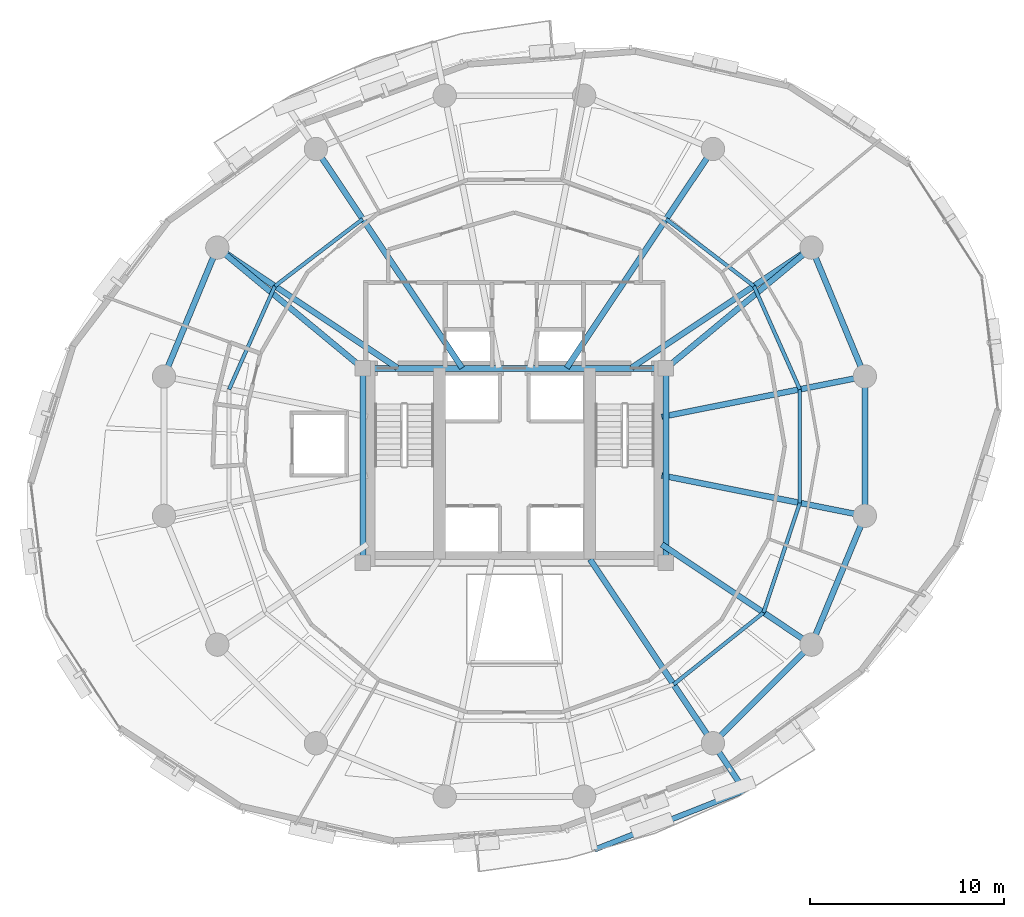
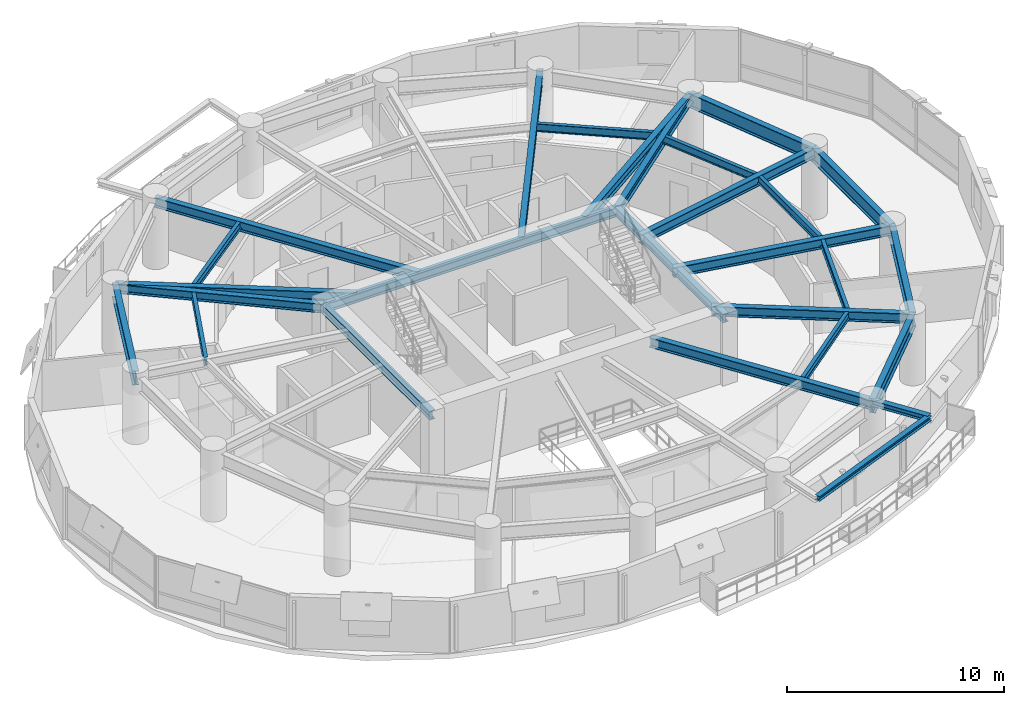
# One storey, part 5 of 15: 27 beams.
"""IFC4 building model written with IfcOpenShell, lengths in metres."""

from ifc_helpers import new_model, si_unit, direction, frame, origin, origin_2d, place, context, subcontext, project, spatial, i_section, extrude, material, material_profile, profile_set, type_object, element, save


model = new_model("IFC4")

# Units and contexts
model_context = context("Model", 3, precision=1e-05, world=origin(), true_north=direction((0.0, 1.0)))
body_context = subcontext(model_context, "Body", "Model", "MODEL_VIEW")
ifc_project = project(units=[si_unit("LENGTHUNIT", "METRE"), si_unit("AREAUNIT", "SQUARE_METRE"), si_unit("VOLUMEUNIT", "CUBIC_METRE"), si_unit("PLANEANGLEUNIT", "RADIAN"), si_unit("MASSUNIT", "GRAM", prefix="KILO"), si_unit("THERMODYNAMICTEMPERATUREUNIT", "KELVIN"), si_unit("POWERUNIT", "WATT")], contexts=[model_context])

# Site, building, storey
site_placement = place(None, origin())
site = spatial("IfcSite", under=ifc_project, at=site_placement, CompositionType="ELEMENT")
building_placement = place(site_placement, origin())
building = spatial("IfcBuilding", under=site, at=building_placement, Name="Ocrelia Relay Tower", CompositionType="ELEMENT")
storey_placement = place(building_placement, frame((0.0, 0.0, 117.800048828125)))
storey = spatial("IfcBuildingStorey", under=building, at=storey_placement, Name="L27", CompositionType="ELEMENT", Elevation=117.800048828125)

# Beams
ifc_material = material(Name="Steel S355", Category="steel")
ifc_material_profile_1 = material_profile(ifc_material, i_section(OverallWidth=0.280029296875, OverallDepth=0.27001953125, WebThickness=0.008056640625, FlangeThickness=0.012939453125, FilletRadius=0.02392578125, at=origin_2d()), Name="HEA 280")
ifc_profile_set_1 = profile_set([ifc_material_profile_1], Name="Steel S355")
beam_type_1 = type_object("IfcBeamType", Name="BM-HEA280", PredefinedType="BEAM", material=ifc_profile_set_1)
beam_1_placement = place(storey_placement, frame((38.133056640625, 5.222412109375, 3.5849609375), z_axis=(0.930184052271, 0.367093487958, 0.0), x_axis=(-0.367093487958, 0.930184052271, 0.0)))
element("IfcBeam", 1, at=beam_1_placement, inside=storey, type_object=beam_type_1, Name="L28 Balcony Edge Trimmer Beam B2", PredefinedType="BEAM", context=body_context, shape_type="SweptSolid", body=[
    extrude(i_section(OverallWidth=0.280029296875, OverallDepth=0.27001953125, WebThickness=0.008056640625, FlangeThickness=0.012939453125, FilletRadius=0.02392578125, at=origin_2d()), origin(), (0.0, 0.0, 1.0), 8.294677734375),
])
ifc_material_profile_2 = material_profile(ifc_material, i_section(OverallWidth=0.300048828125, OverallDepth=0.330078125, WebThickness=0.009521484375, FlangeThickness=0.0166015625, FilletRadius=0.027099609375, at=origin_2d()), Name="HEA 340")
ifc_profile_set_2 = profile_set([ifc_material_profile_2], Name="Steel S355")
beam_type_2 = type_object("IfcBeamType", Name="BM-HEA340", PredefinedType="BEAM", material=ifc_profile_set_2)
beam_2_placement = place(storey_placement, frame((44.222412109375, 10.700927734375, 3.554931640625), z_axis=(0.555604563207, -0.831446672579, 0.0), x_axis=(0.831446672579, 0.555604563207, 0.0)))
element("IfcBeam", 2, at=beam_2_placement, inside=storey, type_object=beam_type_2, Name="L28 Balcony Cantilever Beam B2-2", PredefinedType="BEAM", context=body_context, shape_type="SweptSolid", body=[
    extrude(i_section(OverallWidth=0.300048828125, OverallDepth=0.330078125, WebThickness=0.009521484375, FlangeThickness=0.0166015625, FilletRadius=0.027099609375, at=origin_2d()), origin(), (0.0, 0.0, 1.0), 2.927001953125),
])
ifc_material_profile_3 = material_profile(ifc_material, i_section(OverallWidth=0.300048828125, OverallDepth=0.5, WebThickness=0.014404296875, FlangeThickness=0.028076171875, FilletRadius=0.027099609375, at=origin_2d()), Name="HEB 500")
ifc_profile_set_3 = profile_set([ifc_material_profile_3], Name="Steel S355")
beam_type_3 = type_object("IfcBeamType", Name="BM-HEB500", PredefinedType="BEAM", material=ifc_profile_set_3)
beam_3_placement = place(storey_placement, frame((26.199951171875, 30.0, 3.469970703125), z_axis=(1.0, 0.0, 0.0), x_axis=(0.0, 1.0, 0.0)))
element("IfcBeam", 3, at=beam_3_placement, inside=storey, type_object=beam_type_3, Name="L27 Core Pilaster Tie Beam N", PredefinedType="BEAM", context=body_context, shape_type="SweptSolid", body=[
    extrude(i_section(OverallWidth=0.300048828125, OverallDepth=0.5, WebThickness=0.014404296875, FlangeThickness=0.028076171875, FilletRadius=0.027099609375, at=origin_2d()), origin(), (0.0, 0.0, 1.0), 15.60009765625),
])
for number, where, z_axis, x_axis, name in (
    (4, (26.199951171875, 20.0, 3.469970703125), (0.0, 1.0, 0.0), (-1.0, 0.0, 0.0), "L27 Core Pilaster Tie Beam W"),
    (5, (41.800048828125, 20.0, 3.469970703125), (0.0, 1.0, 0.0), (-1.0, 0.0, 0.0), "L27 Core Pilaster Tie Beam E"),
):
    element("IfcBeam", number, at=place(storey_placement, frame(where, z_axis=z_axis, x_axis=x_axis)), inside=storey, type_object=beam_type_3, Name=name, PredefinedType="BEAM", context=body_context, shape_type="SweptSolid", body=[
        extrude(i_section(OverallWidth=0.300048828125, OverallDepth=0.5, WebThickness=0.014404296875, FlangeThickness=0.028076171875, FilletRadius=0.027099609375, at=origin_2d()), origin(), (0.0, 0.0, 1.0), 10.0),
    ])
for number, where, z_axis, x_axis, name in (
    (6, (49.299072265625, 36.222412109375, 3.469970703125), (-0.769570862751, -0.638561420072, 0.0), (0.638561420072, -0.769570862751, 0.0), "L27 Core Pilaster Frame Tie Beam PT02"),
    (7, (18.700927734375, 36.222412109375, 3.469970703125), (0.769570862751, -0.638561420072, 0.0), (0.638561420072, 0.769570862751, 0.0), "L27 Core Pilaster Frame Tie Beam PT07"),
):
    element("IfcBeam", number, at=place(storey_placement, frame(where, z_axis=z_axis, x_axis=x_axis)), inside=storey, type_object=beam_type_3, Name=name, PredefinedType="BEAM", context=body_context, shape_type="SweptSolid", body=[
        extrude(i_section(OverallWidth=0.300048828125, OverallDepth=0.5, WebThickness=0.014404296875, FlangeThickness=0.028076171875, FilletRadius=0.027099609375, at=origin_2d()), origin(), (0.0, 0.0, 1.0), 9.744384765625),
    ])
ifc_material_profile_4 = material_profile(ifc_material, i_section(OverallWidth=0.300048828125, OverallDepth=0.550048828125, WebThickness=0.014892578125, FlangeThickness=0.029052734375, FilletRadius=0.027099609375, at=origin_2d()), Name="HEB 550")
ifc_profile_set_4 = profile_set([ifc_material_profile_4], Name="Steel S355")
beam_type_4 = type_object("IfcBeamType", Name="BM-HEB550", PredefinedType="BEAM", material=ifc_profile_set_4)
beam_4_placement = place(storey_placement, frame((52.04638671875, 29.589599609375, 3.445068359375), z_axis=(-0.980786914024, -0.195082109071, 0.0), x_axis=(0.195082109071, -0.980786914024, 0.0)))
element("IfcBeam", 8, at=beam_4_placement, inside=storey, type_object=beam_type_4, Name="L27 Radial Floor Girder R01", PredefinedType="BEAM", context=body_context, shape_type="SweptSolid", body=[
    extrude(i_section(OverallWidth=0.300048828125, OverallDepth=0.550048828125, WebThickness=0.014892578125, FlangeThickness=0.029052734375, FilletRadius=0.027099609375, at=origin_2d()), origin(), (0.0, 0.0, 1.0), 10.67138671875),
])
beam_5_placement = place(storey_placement, frame((49.299072265625, 36.222412109375, 3.445068359375), z_axis=(-0.83147699108, -0.555559189741, 0.0), x_axis=(0.555559189741, -0.83147699108, 0.0)))
element("IfcBeam", 9, at=beam_5_placement, inside=storey, type_object=beam_type_4, Name="L27 Radial Floor Girder R02", PredefinedType="BEAM", context=body_context, shape_type="SweptSolid", body=[
    extrude(i_section(OverallWidth=0.300048828125, OverallDepth=0.550048828125, WebThickness=0.014892578125, FlangeThickness=0.029052734375, FilletRadius=0.027099609375, at=origin_2d()), origin(), (0.0, 0.0, 1.0), 11.146240234375),
])
for number, where, z_axis, x_axis, name in (
    (10, (44.222412109375, 41.299072265625, 3.445068359375), (-0.555560399988, -0.83147618244, 0.0), (0.83147618244, -0.555560399988, 0.0), "L27 Radial Floor Girder R03"),
    (11, (23.777587890625, 41.299072265625, 3.445068359375), (0.555560399988, -0.83147618244, 0.0), (0.83147618244, 0.555560399988, 0.0), "L27 Radial Floor Girder R06"),
):
    element("IfcBeam", number, at=place(storey_placement, frame(where, z_axis=z_axis, x_axis=x_axis)), inside=storey, type_object=beam_type_4, Name=name, PredefinedType="BEAM", context=body_context, shape_type="SweptSolid", body=[
        extrude(i_section(OverallWidth=0.300048828125, OverallDepth=0.550048828125, WebThickness=0.014892578125, FlangeThickness=0.029052734375, FilletRadius=0.027099609375, at=origin_2d()), origin(), (0.0, 0.0, 1.0), 13.552978515625),
    ])
beam_6_placement = place(storey_placement, frame((18.700927734375, 36.222412109375, 3.445068359375), z_axis=(0.83147699108, -0.555559189741, 0.0), x_axis=(0.555559189741, 0.83147699108, 0.0)))
element("IfcBeam", 12, at=beam_6_placement, inside=storey, type_object=beam_type_4, Name="L27 Radial Floor Girder R07", PredefinedType="BEAM", context=body_context, shape_type="SweptSolid", body=[
    extrude(i_section(OverallWidth=0.300048828125, OverallDepth=0.550048828125, WebThickness=0.014892578125, FlangeThickness=0.029052734375, FilletRadius=0.027099609375, at=origin_2d()), origin(), (0.0, 0.0, 1.0), 11.146240234375),
])
beam_7_placement = place(storey_placement, frame((44.222412109375, 10.700927734375, 3.445068359375), z_axis=(-0.555565661158, 0.831472667105, 0.0), x_axis=(-0.831472667105, -0.555565661158, 0.0)))
element("IfcBeam", 13, at=beam_7_placement, inside=storey, type_object=beam_type_4, Name="L27 Radial Floor Girder R14", PredefinedType="BEAM", context=body_context, shape_type="SweptSolid", body=[
    extrude(i_section(OverallWidth=0.300048828125, OverallDepth=0.550048828125, WebThickness=0.014892578125, FlangeThickness=0.029052734375, FilletRadius=0.027099609375, at=origin_2d()), origin(), (0.0, 0.0, 1.0), 11.38818359375),
])
beam_8_placement = place(storey_placement, frame((49.299072265625, 15.777587890625, 3.445068359375), z_axis=(-0.8314672312, 0.555573796575, 0.0), x_axis=(-0.555573796575, -0.8314672312, 0.0)))
element("IfcBeam", 14, at=beam_8_placement, inside=storey, type_object=beam_type_4, Name="L27 Radial Floor Girder R15", PredefinedType="BEAM", context=body_context, shape_type="SweptSolid", body=[
    extrude(i_section(OverallWidth=0.300048828125, OverallDepth=0.550048828125, WebThickness=0.014892578125, FlangeThickness=0.029052734375, FilletRadius=0.027099609375, at=origin_2d()), origin(), (0.0, 0.0, 1.0), 9.28369140625),
])
beam_9_placement = place(storey_placement, frame((52.04638671875, 22.410400390625, 3.445068359375), z_axis=(-0.980786914024, 0.195082109071, 0.0), x_axis=(-0.195082109071, -0.980786914024, 0.0)))
element("IfcBeam", 15, at=beam_9_placement, inside=storey, type_object=beam_type_4, Name="L27 Radial Floor Girder R16", PredefinedType="BEAM", context=body_context, shape_type="SweptSolid", body=[
    extrude(i_section(OverallWidth=0.300048828125, OverallDepth=0.550048828125, WebThickness=0.014892578125, FlangeThickness=0.029052734375, FilletRadius=0.027099609375, at=origin_2d()), origin(), (0.0, 0.0, 1.0), 10.67138671875),
])
ifc_material_profile_5 = material_profile(ifc_material, i_section(OverallWidth=0.300048828125, OverallDepth=0.800048828125, WebThickness=0.017578125, FlangeThickness=0.032958984375, FilletRadius=0.030029296875, at=origin_2d()), Name="HEB 800")
ifc_profile_set_5 = profile_set([ifc_material_profile_5], Name="Steel S355")
beam_type_5 = type_object("IfcBeamType", Name="BM-HEB800", PredefinedType="BEAM", material=ifc_profile_set_5)
for number, where, z_axis, x_axis, name in (
    (16, (52.04638671875, 29.589599609375, 3.320068359375), (-0.382673155247, 0.923883789366, 0.0), (-0.923883789366, -0.382673155247, 0.0), "L27 Perimeter Spandrel Beam S01"),
    (17, (18.700927734375, 36.222412109375, 3.320068359375), (-0.382673155247, -0.923883789366, 0.0), (0.923883789366, -0.382673155247, 0.0), "L27 Perimeter Spandrel Beam S07"),
):
    element("IfcBeam", number, at=place(storey_placement, frame(where, z_axis=z_axis, x_axis=x_axis)), inside=storey, type_object=beam_type_5, Name=name, PredefinedType="BEAM", context=body_context, shape_type="SweptSolid", body=[
        extrude(i_section(OverallWidth=0.300048828125, OverallDepth=0.800048828125, WebThickness=0.017578125, FlangeThickness=0.032958984375, FilletRadius=0.030029296875, at=origin_2d()), origin(), (0.0, 0.0, 1.0), 7.17919921875),
    ])
beam_10_placement = place(storey_placement, frame((44.222412109375, 10.700927734375, 3.320068359375), z_axis=(0.707106781187, 0.707106781187, 0.0), x_axis=(-0.707106781187, 0.707106781187, 0.0)))
element("IfcBeam", 18, at=beam_10_placement, inside=storey, type_object=beam_type_5, Name="L27 Perimeter Spandrel Beam S14", PredefinedType="BEAM", context=body_context, shape_type="SweptSolid", body=[
    extrude(i_section(OverallWidth=0.300048828125, OverallDepth=0.800048828125, WebThickness=0.017578125, FlangeThickness=0.032958984375, FilletRadius=0.030029296875, at=origin_2d()), origin(), (0.0, 0.0, 1.0), 7.179443359375),
])
for number, where, z_axis, x_axis, name in (
    (19, (49.299072265625, 15.777587890625, 3.320068359375), (0.382673155247, 0.923883789366, 0.0), (-0.923883789366, 0.382673155247, 0.0), "L27 Perimeter Spandrel Beam S15"),
    (20, (52.04638671875, 22.410400390625, 3.320068359375), (0.0, 1.0, 0.0), (-1.0, 0.0, 0.0), "L27 Perimeter Spandrel Beam S16"),
):
    element("IfcBeam", number, at=place(storey_placement, frame(where, z_axis=z_axis, x_axis=x_axis)), inside=storey, type_object=beam_type_5, Name=name, PredefinedType="BEAM", context=body_context, shape_type="SweptSolid", body=[
        extrude(i_section(OverallWidth=0.300048828125, OverallDepth=0.800048828125, WebThickness=0.017578125, FlangeThickness=0.032958984375, FilletRadius=0.030029296875, at=origin_2d()), origin(), (0.0, 0.0, 1.0), 7.17919921875),
    ])
ifc_material_profile_6 = material_profile(ifc_material, i_section(OverallWidth=0.18994140625, OverallDepth=0.449951171875, WebThickness=0.009521484375, FlangeThickness=0.0146484375, FilletRadius=0.02099609375, at=origin_2d()), Name="IPE 450")
ifc_profile_set_6 = profile_set([ifc_material_profile_6], Name="Steel S355")
beam_type_6 = type_object("IfcBeamType", Name="BM-IPE450", PredefinedType="JOIST", material=ifc_profile_set_6)
beam_11_placement = place(storey_placement, frame((48.697265625, 28.923583984375, 3.494873046875), z_axis=(-0.406243565397, 0.913764830563, 0.0), x_axis=(-0.913764830563, -0.406243565397, 0.0)))
element("IfcBeam", 21, at=beam_11_placement, inside=storey, type_object=beam_type_6, Name="L27 Secondary Floor Joist J01", PredefinedType="JOIST", context=body_context, shape_type="SweptSolid", body=[
    extrude(i_section(OverallWidth=0.18994140625, OverallDepth=0.449951171875, WebThickness=0.009521484375, FlangeThickness=0.0146484375, FilletRadius=0.02099609375, at=origin_2d()), origin(), (0.0, 0.0, 1.0), 5.819091796875),
])
for number, where, z_axis, x_axis, name in (
    (22, (46.333251953125, 34.240966796875, 3.494873046875), (-0.794762167004, 0.60692099807, 0.0), (-0.60692099807, -0.794762167004, 0.0), "L27 Secondary Floor Joist J02"),
    (23, (26.18701171875, 37.69287109375, 3.494873046875), (-0.794762167004, -0.60692099807, 0.0), (0.60692099807, -0.794762167004, 0.0), "L27 Secondary Floor Joist J06"),
):
    element("IfcBeam", number, at=place(storey_placement, frame(where, z_axis=z_axis, x_axis=x_axis)), inside=storey, type_object=beam_type_6, Name=name, PredefinedType="JOIST", context=body_context, shape_type="SweptSolid", body=[
        extrude(i_section(OverallWidth=0.18994140625, OverallDepth=0.449951171875, WebThickness=0.009521484375, FlangeThickness=0.0146484375, FilletRadius=0.02099609375, at=origin_2d()), origin(), (0.0, 0.0, 1.0), 5.6875),
    ])
beam_12_placement = place(storey_placement, frame((21.666748046875, 34.240966796875, 3.494873046875), z_axis=(-0.405741333342, -0.913987948727, 0.0), x_axis=(0.913987948727, -0.405741333342, 0.0)))
element("IfcBeam", 24, at=beam_12_placement, inside=storey, type_object=beam_type_6, Name="L27 Secondary Floor Joist J07", PredefinedType="JOIST", context=body_context, shape_type="SweptSolid", body=[
    extrude(i_section(OverallWidth=0.18994140625, OverallDepth=0.449951171875, WebThickness=0.009521484375, FlangeThickness=0.0146484375, FilletRadius=0.02099609375, at=origin_2d()), origin(), (0.0, 0.0, 1.0), 5.818603515625),
])
beam_13_placement = place(storey_placement, frame((42.197998046875, 13.731201171875, 3.494873046875), z_axis=(0.781519577804, 0.623880717372, 0.0), x_axis=(-0.623880717372, 0.781519577804, 0.0)))
element("IfcBeam", 25, at=beam_13_placement, inside=storey, type_object=beam_type_6, Name="L27 Secondary Floor Joist J14", PredefinedType="JOIST", context=body_context, shape_type="SweptSolid", body=[
    extrude(i_section(OverallWidth=0.18994140625, OverallDepth=0.449951171875, WebThickness=0.009521484375, FlangeThickness=0.0146484375, FilletRadius=0.02099609375, at=origin_2d()), origin(), (0.0, 0.0, 1.0), 5.925537109375),
])
beam_14_placement = place(storey_placement, frame((46.828857421875, 17.427978515625, 3.494873046875), z_axis=(0.314047924314, 0.949407131443, 0.0), x_axis=(-0.949407131443, 0.314047924314, 0.0)))
element("IfcBeam", 26, at=beam_14_placement, inside=storey, type_object=beam_type_6, Name="L27 Secondary Floor Joist J15", PredefinedType="JOIST", context=body_context, shape_type="SweptSolid", body=[
    extrude(i_section(OverallWidth=0.18994140625, OverallDepth=0.449951171875, WebThickness=0.009521484375, FlangeThickness=0.0146484375, FilletRadius=0.02099609375, at=origin_2d()), origin(), (0.0, 0.0, 1.0), 5.949462890625),
])
beam_15_placement = place(storey_placement, frame((48.697265625, 23.076416015625, 3.494873046875), z_axis=(0.0, 1.0, 0.0), x_axis=(-1.0, 0.0, 0.0)))
element("IfcBeam", 27, at=beam_15_placement, inside=storey, type_object=beam_type_6, Name="L27 Secondary Floor Joist J16", PredefinedType="JOIST", context=body_context, shape_type="SweptSolid", body=[
    extrude(i_section(OverallWidth=0.18994140625, OverallDepth=0.449951171875, WebThickness=0.009521484375, FlangeThickness=0.0146484375, FilletRadius=0.02099609375, at=origin_2d()), origin(), (0.0, 0.0, 1.0), 5.84716796875),
])

save(model, "model.ifc")
